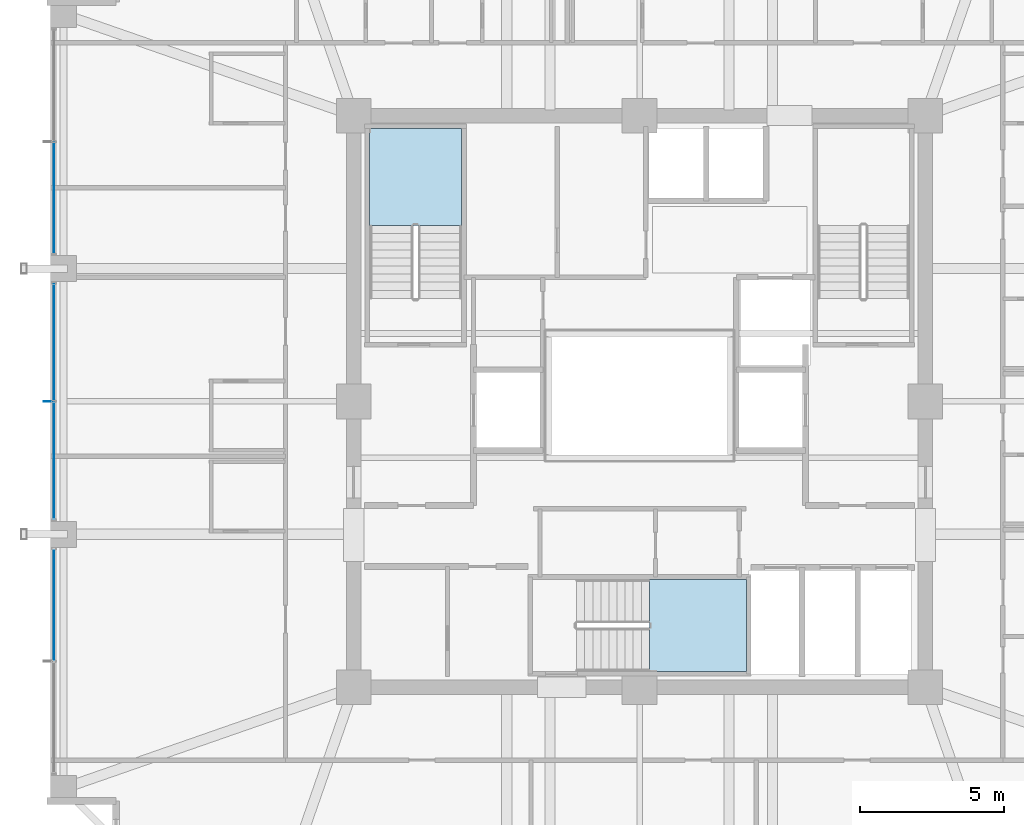
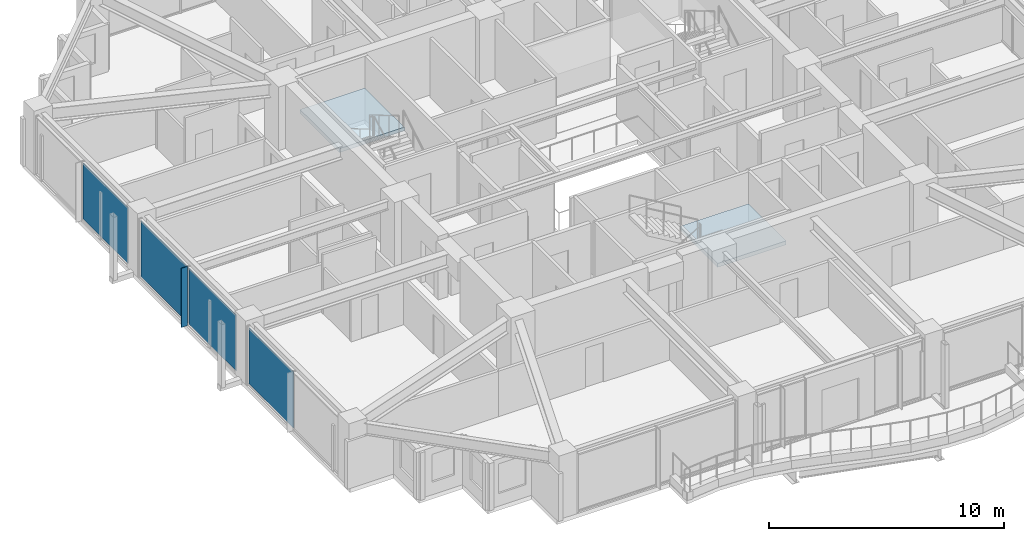
# One storey, part 26 of 37: 5 plates, 2 slabs, 5 elements without a shape of their own.
"""IFC4 building model written with IfcOpenShell, lengths in metres."""

from ifc_helpers import new_model, si_unit, direction, frame, origin, origin_2d, place, context, subcontext, project, spatial, polyline, rectangle, outline, extrude, material, layer, layer_set, type_object, element, aggregate, save


model = new_model("IFC4")

# Units and contexts
model_context = context("Model", 3, precision=1e-05, world=origin(), true_north=direction((0.0, 1.0)))
body_context = subcontext(model_context, "Body", "Model", "MODEL_VIEW")
ifc_project = project(units=[si_unit("LENGTHUNIT", "METRE"), si_unit("AREAUNIT", "SQUARE_METRE"), si_unit("VOLUMEUNIT", "CUBIC_METRE"), si_unit("PLANEANGLEUNIT", "RADIAN"), si_unit("MASSUNIT", "GRAM", prefix="KILO")], contexts=[model_context])

# Site, building, storey
site_placement = place(None, origin())
site = spatial("IfcSite", under=ifc_project, at=site_placement, CompositionType="ELEMENT")
building_placement = place(site_placement, origin())
building = spatial("IfcBuilding", under=site, at=building_placement, Name="Kolvaren Belvedere", CompositionType="ELEMENT")
storey_placement = place(building_placement, frame((0.0, 0.0, 180.0)))
storey = spatial("IfcBuildingStorey", under=building, at=storey_placement, Name="L52", CompositionType="ELEMENT", Elevation=180.0)

# Curtain wall, plate
ifc_material_1 = material(Name="Anodised pale-metal aluminium AA 6063-T6", Category="aluminium")
curtain_wall_type = type_object("IfcCurtainWallType", Name="CW-Z5-HIGH", PredefinedType="NOTDEFINED", material=ifc_material_1)
curtain_wall_1_placement = place(storey_placement, origin())
curtain_wall_1 = element("IfcCurtainWall", 1, at=curtain_wall_1_placement, inside=storey, type_object=curtain_wall_type, Name="L52 Unitised Curtain Wall FCW-L52-W-B1", PredefinedType="NOTDEFINED")
ifc_material_2 = material(Name="Low-iron triple insulated glass", Category="glass")
ifc_layer_1 = layer(ifc_material_2, 0.028076171875)
ifc_layer_set_1 = layer_set([ifc_layer_1], Name="Low-iron triple insulated glass")
plate_type_1 = type_object("IfcPlateType", Name="CW-PNL-VIS28", PredefinedType="CURTAIN_PANEL", material=ifc_layer_set_1)
plate_1_placement = place(storey_placement, frame((-20.280029296875, -7.052490234375, 0.080078125), z_axis=(0.0, 0.0, 1.0), x_axis=(0.0, 1.0, 0.0)))
plate_1 = element("IfcPlate", 2, at=plate_1_placement, type_object=plate_type_1, Name="FCW-L52-W-B1 Vision Glazing Panel 2", PredefinedType="CURTAIN_PANEL", context=body_context, shape_type="SweptSolid", body=[
    extrude(rectangle(XDim=3.81494140625, YDim=0.028076171875, at=origin_2d()), origin(), (0.0, 0.0, 1.0), 2.919921875),
])
aggregate(curtain_wall_1, [plate_1])

# Curtain wall, plates
curtain_wall_2_placement = place(storey_placement, origin())
curtain_wall_2 = element("IfcCurtainWall", 3, at=curtain_wall_2_placement, inside=storey, type_object=curtain_wall_type, Name="L52 Unitised Curtain Wall FCW-L52-W-B2", PredefinedType="NOTDEFINED")
plate_2_placement = place(storey_placement, frame((-20.280029296875, -2.047607421875, 0.080078125), z_axis=(0.0, 0.0, 1.0), x_axis=(0.0, 1.0, 0.0)))
plate_2 = element("IfcPlate", 4, at=plate_2_placement, type_object=plate_type_1, Name="FCW-L52-W-B2 Vision Glazing Panel 1", PredefinedType="CURTAIN_PANEL", context=body_context, shape_type="SweptSolid", body=[
    extrude(rectangle(XDim=4.014892578125, YDim=0.028076171875, at=origin_2d()), origin(), (0.0, 0.0, 1.0), 2.919921875),
])
plate_3_placement = place(storey_placement, frame((-20.280029296875, 2.047607421875, 0.080078125), z_axis=(0.0, 0.0, 1.0), x_axis=(0.0, 1.0, 0.0)))
plate_3 = element("IfcPlate", 5, at=plate_3_placement, type_object=plate_type_1, Name="FCW-L52-W-B2 Vision Glazing Panel 2", PredefinedType="CURTAIN_PANEL", context=body_context, shape_type="SweptSolid", body=[
    extrude(rectangle(XDim=4.014892578125, YDim=0.028076171875, at=origin_2d()), origin(), (0.0, 0.0, 1.0), 2.919921875),
])
aggregate(curtain_wall_2, [plate_2, plate_3])

# Curtain wall, plate
curtain_wall_3_placement = place(storey_placement, origin())
curtain_wall_3 = element("IfcCurtainWall", 6, at=curtain_wall_3_placement, inside=storey, type_object=curtain_wall_type, Name="L52 Unitised Curtain Wall FCW-L52-W-B3", PredefinedType="NOTDEFINED")
plate_4_placement = place(storey_placement, frame((-20.280029296875, 7.052490234375, 0.080078125), z_axis=(0.0, 0.0, 1.0), x_axis=(0.0, 1.0, 0.0)))
plate_4 = element("IfcPlate", 7, at=plate_4_placement, type_object=plate_type_1, Name="FCW-L52-W-B3 Vision Glazing Panel 1", PredefinedType="CURTAIN_PANEL", context=body_context, shape_type="SweptSolid", body=[
    extrude(rectangle(XDim=3.81494140625, YDim=0.028076171875, at=origin_2d()), origin(), (0.0, 0.0, 1.0), 2.919921875),
])
aggregate(curtain_wall_3, [plate_4])

# Plate
ifc_material_3 = material(Name="Anodised pale-metal aluminium AA 6063-T6", Category="aluminium")
ifc_layer_2 = layer(ifc_material_3, 0.030029296875)
ifc_layer_set_2 = layer_set([ifc_layer_2], Name="Anodised pale-metal aluminium AA 6063-T6")
plate_type_2 = type_object("IfcPlateType", Name="FIN-VERT-300", PredefinedType="USERDEFINED", material=ifc_layer_set_2)
plate_5_placement = place(storey_placement, frame((-20.489990234375, 0.0, 0.0), z_axis=(0.0, 0.0, 1.0), x_axis=(1.0, 0.0, 0.0)))
element("IfcPlate", 8, at=plate_5_placement, inside=storey, type_object=plate_type_2, Name="L52 Pale-Metal Vertical Shading Fin FCW-L52-W-B2-1", ObjectType="VERTICAL FIN", PredefinedType="USERDEFINED", context=body_context, shape_type="SweptSolid", body=[
    extrude(rectangle(XDim=0.300048828125, YDim=0.030029296875, at=origin_2d()), origin(), (0.0, 0.0, 1.0), 3.080078125),
])

# Stair, slab
ifc_material_4 = material(Name="Concrete C50/60", Category="concrete")
stair_type = type_object("IfcStairType", Name="ST-CORE-1520", PredefinedType="HALF_TURN_STAIR", material=ifc_material_4)
stair_1_placement = place(storey_placement, origin())
stair_1 = element("IfcStair", 9, at=stair_1_placement, inside=storey, type_object=stair_type, Name="L52 Protected Exit Stair ST-1", PredefinedType="HALF_TURN_STAIR")
ifc_material_5 = material(Name="Concrete C50/60", Category="concrete")
ifc_layer_3 = layer(ifc_material_5, 0.260009765625)
ifc_layer_set_3 = layer_set([ifc_layer_3], Name="Concrete C50/60")
slab_type = type_object("IfcSlabType", Name="SL-LAND-260", PredefinedType="LANDING", material=ifc_layer_set_3)
slab_1_placement = place(storey_placement, frame((0.0, 0.0, 1.449951171875)))
slab_1 = element("IfcSlab", 10, at=slab_1_placement, type_object=slab_type, Name="ST-1 landing 1", PredefinedType="LANDING", context=body_context, shape_type="SweptSolid", body=[
    extrude(outline(polyline([(-6.159912109375, 6.090087890625), (-6.159912109375, 9.449951171875), (-9.35009765625, 9.449951171875), (-9.35009765625, 6.090087890625), (-6.159912109375, 6.090087890625)])), origin(), (0.0, 0.0, 1.0), 0.199951171875),
])
aggregate(stair_1, [slab_1])

stair_2_placement = place(storey_placement, origin())
stair_2 = element("IfcStair", 11, at=stair_2_placement, inside=storey, type_object=stair_type, Name="L52 Protected Exit Stair ST-3", PredefinedType="HALF_TURN_STAIR")
slab_2_placement = place(storey_placement, frame((0.0, 0.0, 1.449951171875)))
slab_2 = element("IfcSlab", 12, at=slab_2_placement, type_object=slab_type, Name="ST-3 landing 1", PredefinedType="LANDING", context=body_context, shape_type="SweptSolid", body=[
    extrude(outline(polyline([(0.340087890625, -9.35009765625), (3.699951171875, -9.35009765625), (3.699951171875, -6.159912109375), (0.340087890625, -6.159912109375), (0.340087890625, -9.35009765625)])), origin(), (0.0, 0.0, 1.0), 0.199951171875),
])
aggregate(stair_2, [slab_2])

save(model, "model.ifc")
